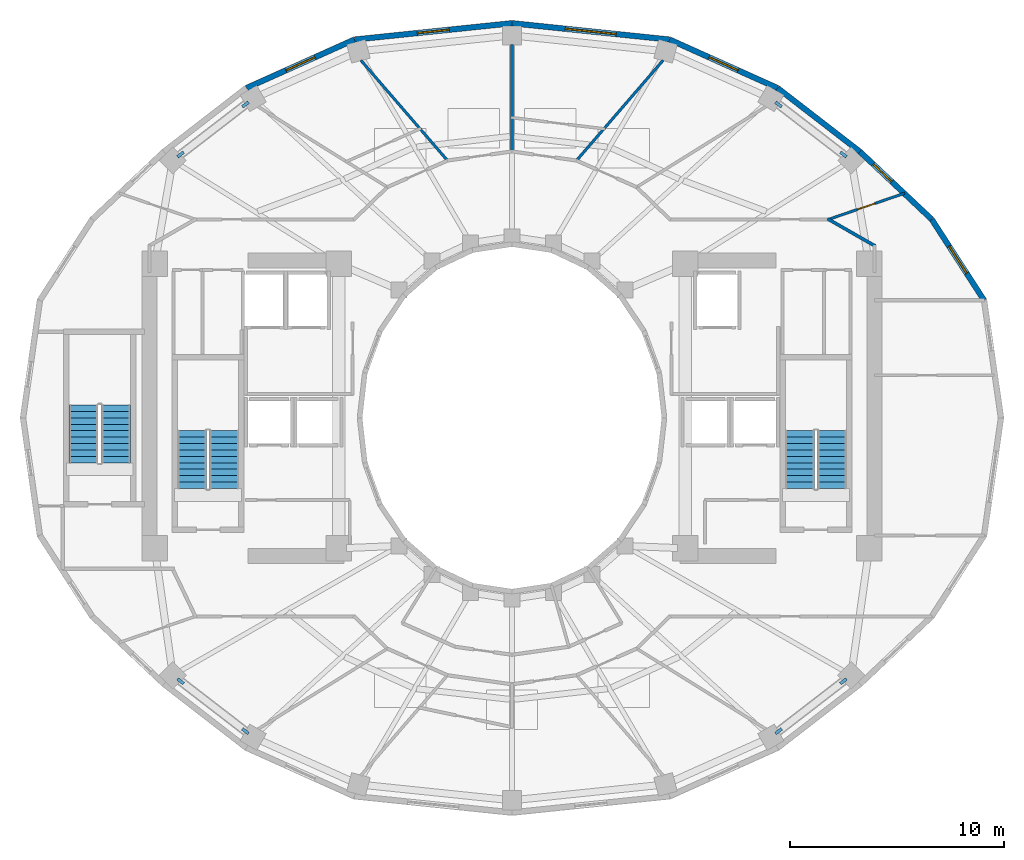
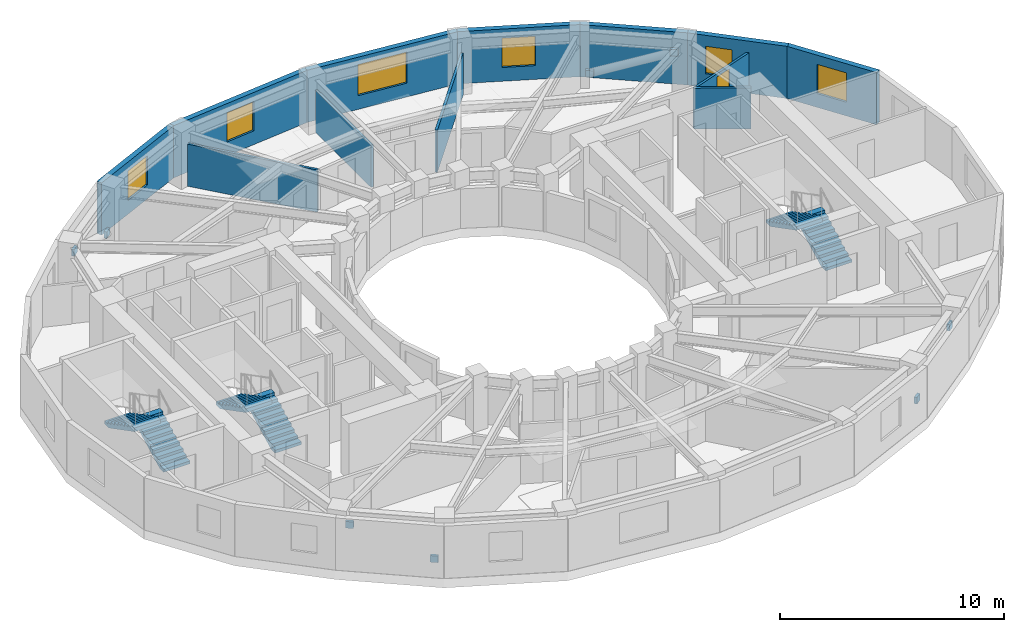
# One storey, part 7 of 9: 12 walls, 8 discrete accessories, 6 stair flights, 6 windows, 1 door, 7 openings, 3 elements without a shape of their own.
"""IFC4 building model written with IfcOpenShell, lengths in metres."""

from ifc_helpers import new_model, si_unit, direction, frame, frame_2d, origin, origin_2d, place, context, subcontext, project, spatial, polyline, rectangle, outline, extrude, material, layer, layer_set, type_object, element, fill, aggregate, save


model = new_model("IFC4")

# Units and contexts
model_context = context("Model", 3, precision=1e-05, world=origin(), true_north=direction((0.0, 1.0)))
body_context = subcontext(model_context, "Body", "Model", "MODEL_VIEW")
ifc_project = project(units=[si_unit("LENGTHUNIT", "METRE"), si_unit("AREAUNIT", "SQUARE_METRE"), si_unit("VOLUMEUNIT", "CUBIC_METRE"), si_unit("PLANEANGLEUNIT", "RADIAN"), si_unit("MASSUNIT", "GRAM", prefix="KILO")], contexts=[model_context])

# Site, building, storey
site_placement = place(None, origin())
site = spatial("IfcSite", under=ifc_project, at=site_placement, CompositionType="ELEMENT")
building_placement = place(site_placement, origin())
building = spatial("IfcBuilding", under=site, at=building_placement, Name="Solvane Sanctuary Tower", CompositionType="ELEMENT")
storey_placement = place(building_placement, frame((0.0, 0.0, 143.60009765625)))
storey = spatial("IfcBuildingStorey", under=building, at=storey_placement, Name="L43", CompositionType="ELEMENT", Elevation=143.60009765625)

# Wall
ifc_material_1 = material(Name="Acoustic Gypsum Partition Board")
ifc_layer_1 = layer(ifc_material_1, 0.14990234375, Name="Acoustic Gypsum Partition Board")
ifc_layer_set_1 = layer_set([ifc_layer_1], Name="Acoustic Gypsum Partition Board")
wall_type_1 = type_object("IfcWallType", Name="Wall W-CORR-150", PredefinedType="PARTITIONING", material=ifc_layer_set_1)
wall_1_placement = place(storey_placement, frame((46.756591796875, 32.3046875, 0.0), z_axis=(0.0, 0.0, 1.0), x_axis=(0.867991349648, -0.496579315857, 0.0)))
element("IfcWall", 1, at=wall_1_placement, inside=storey, type_object=wall_type_1, Name="L43 NE Corner Wing Wall", PredefinedType="PARTITIONING", context=body_context, shape_type="SweptSolid", body=[
    extrude(rectangle(XDim=2.56689453125, YDim=0.14990234375, at=frame_2d((1.283447265625, 0.0))), origin(), (0.0, 0.0, 1.0), 2.219970703125),
])

# Wall, opening, window
ifc_material_2 = material(Name="Precast concrete C40/50", Category="concrete")
ifc_layer_2 = layer(ifc_material_2, 0.260009765625, Name="Precast concrete C40/50")
ifc_layer_set_2 = layer_set([ifc_layer_2], Name="Precast concrete C40/50")
wall_type_2 = type_object("IfcWallType", Name="Wall W-EXT-250", PredefinedType="STANDARD", material=ifc_layer_set_2)
wall_2_placement = place(storey_placement, frame((54.0703125, 28.49658203125, 0.0), z_axis=(0.0, 0.0, 1.0), x_axis=(-0.543358984534, 0.839500454989, 0.0)))
wall_2 = element("IfcWall", 2, at=wall_2_placement, inside=storey, type_object=wall_type_2, Name="L43 Ceramic-Printed Facade Wall 01", PredefinedType="STANDARD", context=body_context, shape_type="SweptSolid", body=[
    extrude(rectangle(XDim=4.51123046875, YDim=0.260009765625, at=frame_2d((2.255615234375, 0.0))), origin(), (0.0, 0.0, 1.0), 2.849853515625),
])
opening_1_placement = place(wall_2_placement, frame((1.505615234375, 0.0, 0.75)))
opening_1 = element("IfcOpeningElement", 3, at=opening_1_placement, cuts=wall_2, Name="Opening WN-OPER-1500", PredefinedType="OPENING", context=body_context, shape_type="SweptSolid", body=[
    extrude(rectangle(XDim=1.5, YDim=1.60009765625, at=frame_2d((0.75, 0.800048828125))), frame((0.0, 0.139892578125, 0.0), z_axis=(0.0, -1.0, 0.0), x_axis=(1.0, 0.0, 0.0)), (0.0, 0.0, 1.0), 0.280029296875),
])
ifc_material_3 = material(Name="Dark Ceramic-Fritted Low-E Glass", Category="glass")
window_type_1 = type_object("IfcWindowType", Name="Window WN-OPER-1500", PartitioningType="SINGLE_PANEL", PredefinedType="WINDOW", material=ifc_material_3)
window_1_placement = place(opening_1_placement, origin())
window_1 = element("IfcWindow", 4, at=window_1_placement, inside=storey, type_object=window_type_1, Name="L43 Operable Facade Window 01", OverallHeight=1.60009765625, OverallWidth=1.5, PartitioningType="SINGLE_PANEL", PredefinedType="WINDOW", context=body_context, shape_type="SweptSolid", body=[
    extrude(rectangle(XDim=1.5, YDim=1.60009765625, at=frame_2d((0.75, 0.800048828125))), frame((0.0, 0.030029296875, 0.0), z_axis=(0.0, -1.0, 0.0), x_axis=(1.0, 0.0, 0.0)), (0.0, 0.0, 1.0), 0.06005859375),
])
fill(opening_1, window_1)

wall_3_placement = place(storey_placement, frame((51.619140625, 32.28369140625, 0.0), z_axis=(0.0, 0.0, 1.0), x_axis=(-0.727667301037, 0.68593024354, 0.0)))
wall_3 = element("IfcWall", 5, at=wall_3_placement, inside=storey, type_object=wall_type_2, Name="L43 Ceramic-Printed Facade Wall 02", PredefinedType="STANDARD", context=body_context, shape_type="SweptSolid", body=[
    extrude(rectangle(XDim=4.603515625, YDim=0.260009765625, at=frame_2d((2.3017578125, 0.0))), origin(), (0.0, 0.0, 1.0), 2.849853515625),
])
opening_2_placement = place(wall_3_placement, frame((2.5595703125, 0.0, 0.75)))
opening_2 = element("IfcOpeningElement", 6, at=opening_2_placement, cuts=wall_3, Name="Opening WN-OPER-1200", PredefinedType="OPENING", context=body_context, shape_type="SweptSolid", body=[
    extrude(rectangle(XDim=1.199951171875, YDim=1.5, at=frame_2d((0.60009765625, 0.75))), frame((0.0, 0.139892578125, 0.0), z_axis=(0.0, -1.0, 0.0), x_axis=(1.0, 0.0, 0.0)), (0.0, 0.0, 1.0), 0.280029296875),
])
window_type_2 = type_object("IfcWindowType", Name="Window WN-OPER-1200", PartitioningType="SINGLE_PANEL", PredefinedType="WINDOW", material=ifc_material_3)
window_2_placement = place(opening_2_placement, origin())
window_2 = element("IfcWindow", 7, at=window_2_placement, inside=storey, type_object=window_type_2, Name="L43 Operable Facade Window 02", OverallHeight=1.5, OverallWidth=1.199951171875, PartitioningType="SINGLE_PANEL", PredefinedType="WINDOW", context=body_context, shape_type="SweptSolid", body=[
    extrude(rectangle(XDim=1.199951171875, YDim=1.5, at=frame_2d((0.60009765625, 0.75))), frame((0.0, 0.030029296875, 0.0), z_axis=(0.0, -1.0, 0.0), x_axis=(1.0, 0.0, 0.0)), (0.0, 0.0, 1.0), 0.06005859375),
])
fill(opening_2, window_2)

# Wall
wall_4_placement = place(storey_placement, frame((48.269287109375, 35.44140625, 0.0), z_axis=(0.0, 0.0, 1.0), x_axis=(-0.791460185804, 0.611220724687, 0.0)))
element("IfcWall", 8, at=wall_4_placement, inside=storey, type_object=wall_type_2, Name="L43 Ceramic-Printed Facade Wall 03", PredefinedType="STANDARD", context=body_context, shape_type="SweptSolid", body=[
    extrude(rectangle(XDim=4.872314453125, YDim=0.260009765625, at=frame_2d((2.43603515625, 0.0))), origin(), (0.0, 0.0, 1.0), 2.849853515625),
])

# Wall, opening, window
wall_5_placement = place(storey_placement, frame((44.4130859375, 38.41943359375, 0.0), z_axis=(0.0, 0.0, 1.0), x_axis=(-0.912353637112, 0.409403029847, 0.0)))
wall_5 = element("IfcWall", 9, at=wall_5_placement, inside=storey, type_object=wall_type_2, Name="L43 Ceramic-Printed Facade Wall 04", PredefinedType="STANDARD", context=body_context, shape_type="SweptSolid", body=[
    extrude(rectangle(XDim=5.53271484375, YDim=0.260009765625, at=frame_2d((2.766357421875, 0.0))), origin(), (0.0, 0.0, 1.0), 2.849853515625),
])
opening_3_placement = place(wall_5_placement, frame((2.016357421875, 0.0, 0.75)))
opening_3 = element("IfcOpeningElement", 10, at=opening_3_placement, cuts=wall_5, Name="Opening WN-OPER-1500", PredefinedType="OPENING", context=body_context, shape_type="SweptSolid", body=[
    extrude(rectangle(XDim=1.5, YDim=1.60009765625, at=frame_2d((0.75, 0.800048828125))), frame((0.0, 0.139892578125, 0.0), z_axis=(0.0, -1.0, 0.0), x_axis=(1.0, 0.0, 0.0)), (0.0, 0.0, 1.0), 0.280029296875),
])
window_3_placement = place(opening_3_placement, origin())
window_3 = element("IfcWindow", 11, at=window_3_placement, inside=storey, type_object=window_type_1, Name="L43 Operable Facade Window 04", OverallHeight=1.60009765625, OverallWidth=1.5, PartitioningType="SINGLE_PANEL", PredefinedType="WINDOW", context=body_context, shape_type="SweptSolid", body=[
    extrude(rectangle(XDim=1.5, YDim=1.60009765625, at=frame_2d((0.75, 0.800048828125))), frame((0.0, 0.030029296875, 0.0), z_axis=(0.0, -1.0, 0.0), x_axis=(1.0, 0.0, 0.0)), (0.0, 0.0, 1.0), 0.06005859375),
])
fill(opening_3, window_3)

wall_6_placement = place(storey_placement, frame((39.365234375, 40.6845703125, 0.0), z_axis=(0.0, 0.0, 1.0), x_axis=(-0.994664178965, 0.10316574569, 0.0)))
wall_6 = element("IfcWall", 12, at=wall_6_placement, inside=storey, type_object=wall_type_2, Name="L43 Ceramic-Printed Facade Wall 05", PredefinedType="STANDARD", context=body_context, shape_type="SweptSolid", body=[
    extrude(rectangle(XDim=7.40478515625, YDim=0.260009765625, at=frame_2d((3.702392578125, 0.0))), origin(), (0.0, 0.0, 1.0), 2.849853515625),
])
opening_4_placement = place(wall_6_placement, frame((2.50244140625, 0.0, 0.75)))
opening_4 = element("IfcOpeningElement", 13, at=opening_4_placement, cuts=wall_6, Name="Opening WN-RIB-2400", PredefinedType="OPENING", context=body_context, shape_type="SweptSolid", body=[
    extrude(rectangle(XDim=2.39990234375, YDim=1.699951171875, at=frame_2d((1.199951171875, 0.85009765625))), frame((0.0, 0.139892578125, 0.0), z_axis=(0.0, -1.0, 0.0), x_axis=(1.0, 0.0, 0.0)), (0.0, 0.0, 1.0), 0.280029296875),
])
window_type_3 = type_object("IfcWindowType", Name="Window WN-RIB-2400", PartitioningType="SINGLE_PANEL", PredefinedType="WINDOW", material=ifc_material_3)
window_4_placement = place(opening_4_placement, origin())
window_4 = element("IfcWindow", 14, at=window_4_placement, inside=storey, type_object=window_type_3, Name="L43 Operable Facade Window 05", OverallHeight=1.699951171875, OverallWidth=2.39990234375, PartitioningType="SINGLE_PANEL", PredefinedType="WINDOW", context=body_context, shape_type="SweptSolid", body=[
    extrude(rectangle(XDim=2.39990234375, YDim=1.699951171875, at=frame_2d((1.199951171875, 0.85009765625))), frame((0.0, 0.030029296875, 0.0), z_axis=(0.0, -1.0, 0.0), x_axis=(1.0, 0.0, 0.0)), (0.0, 0.0, 1.0), 0.06005859375),
])
fill(opening_4, window_4)

wall_7_placement = place(storey_placement, frame((32.0, 41.448486328125, 0.0), z_axis=(0.0, 0.0, 1.0), x_axis=(-0.994664178965, -0.10316574569, 0.0)))
wall_7 = element("IfcWall", 15, at=wall_7_placement, inside=storey, type_object=wall_type_2, Name="L43 Ceramic-Printed Facade Wall 06", PredefinedType="STANDARD", context=body_context, shape_type="SweptSolid", body=[
    extrude(rectangle(XDim=7.40478515625, YDim=0.260009765625, at=frame_2d((3.702392578125, 0.0))), origin(), (0.0, 0.0, 1.0), 2.849853515625),
])
opening_5_placement = place(wall_7_placement, frame((2.952392578125, 0.0, 0.75)))
opening_5 = element("IfcOpeningElement", 16, at=opening_5_placement, cuts=wall_7, Name="Opening WN-OPER-1500", PredefinedType="OPENING", context=body_context, shape_type="SweptSolid", body=[
    extrude(rectangle(XDim=1.5, YDim=1.60009765625, at=frame_2d((0.75, 0.800048828125))), frame((0.0, 0.139892578125, 0.0), z_axis=(0.0, -1.0, 0.0), x_axis=(1.0, 0.0, 0.0)), (0.0, 0.0, 1.0), 0.280029296875),
])
window_5_placement = place(opening_5_placement, origin())
window_5 = element("IfcWindow", 17, at=window_5_placement, inside=storey, type_object=window_type_1, Name="L43 Operable Facade Window 06", OverallHeight=1.60009765625, OverallWidth=1.5, PartitioningType="SINGLE_PANEL", PredefinedType="WINDOW", context=body_context, shape_type="SweptSolid", body=[
    extrude(rectangle(XDim=1.5, YDim=1.60009765625, at=frame_2d((0.75, 0.800048828125))), frame((0.0, 0.030029296875, 0.0), z_axis=(0.0, -1.0, 0.0), x_axis=(1.0, 0.0, 0.0)), (0.0, 0.0, 1.0), 0.06005859375),
])
fill(opening_5, window_5)

wall_8_placement = place(storey_placement, frame((24.634765625, 40.6845703125, 0.0), z_axis=(0.0, 0.0, 1.0), x_axis=(-0.912353637112, -0.409403029847, 0.0)))
wall_8 = element("IfcWall", 18, at=wall_8_placement, inside=storey, type_object=wall_type_2, Name="L43 Ceramic-Printed Facade Wall 07", PredefinedType="STANDARD", context=body_context, shape_type="SweptSolid", body=[
    extrude(rectangle(XDim=5.53271484375, YDim=0.260009765625, at=frame_2d((2.766357421875, 0.0))), origin(), (0.0, 0.0, 1.0), 2.849853515625),
])
opening_6_placement = place(wall_8_placement, frame((2.016357421875, 0.0, 0.75)))
opening_6 = element("IfcOpeningElement", 19, at=opening_6_placement, cuts=wall_8, Name="Opening WN-OPER-1500", PredefinedType="OPENING", context=body_context, shape_type="SweptSolid", body=[
    extrude(rectangle(XDim=1.5, YDim=1.60009765625, at=frame_2d((0.75, 0.800048828125))), frame((0.0, 0.139892578125, 0.0), z_axis=(0.0, -1.0, 0.0), x_axis=(1.0, 0.0, 0.0)), (0.0, 0.0, 1.0), 0.280029296875),
])
window_6_placement = place(opening_6_placement, origin())
window_6 = element("IfcWindow", 20, at=window_6_placement, inside=storey, type_object=window_type_1, Name="L43 Operable Facade Window 07", OverallHeight=1.60009765625, OverallWidth=1.5, PartitioningType="SINGLE_PANEL", PredefinedType="WINDOW", context=body_context, shape_type="SweptSolid", body=[
    extrude(rectangle(XDim=1.5, YDim=1.60009765625, at=frame_2d((0.75, 0.800048828125))), frame((0.0, 0.030029296875, 0.0), z_axis=(0.0, -1.0, 0.0), x_axis=(1.0, 0.0, 0.0)), (0.0, 0.0, 1.0), 0.06005859375),
])
fill(opening_6, window_6)

# Wall, opening, door
ifc_layer_3 = layer(ifc_material_1, 0.1201171875, Name="Acoustic Gypsum Partition Board")
ifc_layer_set_3 = layer_set([ifc_layer_3], Name="Acoustic Gypsum Partition Board")
wall_type_3 = type_object("IfcWallType", Name="Wall W-MOV-100", PredefinedType="MOVABLE", material=ifc_layer_set_3)
wall_9_placement = place(storey_placement, frame((46.752685546875, 32.263671875, 0.0), z_axis=(0.0, 0.0, 1.0), x_axis=(0.945683523506, 0.325088716151, 0.0)))
wall_9 = element("IfcWall", 21, at=wall_9_placement, inside=storey, type_object=wall_type_3, Name="L43 NE Corner Suite Partition", PredefinedType="MOVABLE", context=body_context, shape_type="SweptSolid", body=[
    extrude(rectangle(XDim=3.812744140625, YDim=0.1201171875, at=frame_2d((1.90625, 0.0))), origin(), (0.0, 0.0, 1.0), 2.219970703125),
])
opening_7_placement = place(wall_9_placement, frame((1.4814453125, 0.0, 0.0)))
opening_7 = element("IfcOpeningElement", 22, at=opening_7_placement, cuts=wall_9, Name="Opening D-L43-14", PredefinedType="OPENING", context=body_context, shape_type="SweptSolid", body=[
    extrude(rectangle(XDim=0.85009765625, YDim=2.050048828125, at=frame_2d((0.425048828125, 1.02490234375))), frame((0.0, 0.070068359375, 0.0), z_axis=(0.0, -1.0, 0.0), x_axis=(1.0, 0.0, 0.0)), (0.0, 0.0, 1.0), 0.14013671875),
])
ifc_material_4 = material(Name="Architectural Stainless Steel 316", Category="steel")
door_type = type_object("IfcDoorType", Name="Door D-RISER", OperationType="NOTDEFINED", PredefinedType="DOOR", material=ifc_material_4)
door_placement = place(opening_7_placement, origin())
door = element("IfcDoor", 23, at=door_placement, inside=storey, type_object=door_type, Name="L43 NE Corner Suite Door", OperationType="SINGLE_SWING_LEFT", OverallHeight=2.050048828125, OverallWidth=0.85009765625, PredefinedType="DOOR", context=body_context, shape_type="SweptSolid", body=[
    extrude(rectangle(XDim=0.85009765625, YDim=2.050048828125, at=frame_2d((0.425048828125, 1.02490234375))), frame((0.0, 0.02490234375, 0.0), z_axis=(0.0, -1.0, 0.0), x_axis=(1.0, 0.0, 0.0)), (0.0, 0.0, 1.0), 0.050048828125),
])
fill(opening_7, door)

# Walls
ifc_layer_4 = layer(ifc_material_1, 0.125, Name="Acoustic Gypsum Partition Board")
ifc_layer_set_4 = layer_set([ifc_layer_4], Name="Acoustic Gypsum Partition Board")
wall_type_4 = type_object("IfcWallType", Name="Wall W-PART-125", PredefinedType="PARTITIONING", material=ifc_layer_set_4)
wall_10_placement = place(storey_placement, frame((35.052734375, 35.0732421875, 0.0), z_axis=(0.0, 0.0, 1.0), x_axis=(0.653779283332, 0.756685303601, 0.0)))
element("IfcWall", 24, at=wall_10_placement, inside=storey, type_object=wall_type_4, Name="L43 Radial Compartment Wall 075", PredefinedType="PARTITIONING", context=body_context, shape_type="SweptSolid", body=[
    extrude(rectangle(XDim=6.139892578125, YDim=0.125, at=frame_2d((3.06982421875, 0.0))), origin(), (0.0, 0.0, 1.0), 2.298828125),
])
wall_11_placement = place(storey_placement, frame((32.0, 35.510986328125, 0.0), z_axis=(0.0, 0.0, 1.0), x_axis=(0.0, 1.0, 0.0)))
element("IfcWall", 25, at=wall_11_placement, inside=storey, type_object=wall_type_4, Name="L43 Radial Compartment Wall 090", PredefinedType="PARTITIONING", context=body_context, shape_type="SweptSolid", body=[
    extrude(rectangle(XDim=4.93896484375, YDim=0.125, at=frame_2d((2.469482421875, 0.0))), origin(), (0.0, 0.0, 1.0), 2.298828125),
])
wall_12_placement = place(storey_placement, frame((28.947265625, 35.0732421875, 0.0), z_axis=(0.0, 0.0, 1.0), x_axis=(-0.653779283332, 0.756685303601, 0.0)))
element("IfcWall", 26, at=wall_12_placement, inside=storey, type_object=wall_type_4, Name="L43 Radial Compartment Wall 105", PredefinedType="PARTITIONING", context=body_context, shape_type="SweptSolid", body=[
    extrude(rectangle(XDim=6.139892578125, YDim=0.125, at=frame_2d((3.06982421875, 0.0))), origin(), (0.0, 0.0, 1.0), 2.298828125),
])

# Stair, stair flights
ifc_material_5 = material(Name="Concrete C45/55", Category="concrete")
stair_type = type_object("IfcStairType", Name="Stair ST-TOW", PredefinedType="HALF_TURN_STAIR", material=ifc_material_5)
stair_1_placement = place(storey_placement, origin())
stair_1 = element("IfcStair", 27, at=stair_1_placement, inside=storey, type_object=stair_type, Name="L43 Exit Stair ST-1 West Core", PredefinedType="HALF_TURN_STAIR")
stair_flight_type = type_object("IfcStairFlightType", Name="StairFlight SF-TOW", PredefinedType="STRAIGHT", material=ifc_material_5)
stair_flight_1_placement = place(storey_placement, frame((18.544921875, 19.699951171875, 0.0), z_axis=(0.0, 0.0, 1.0), x_axis=(0.0, 1.0, 0.0)))
stair_flight_1 = element("IfcStairFlight", 28, at=stair_flight_1_placement, type_object=stair_flight_type, Name="ST-1 flight 1", NumberOfRisers=10, NumberOfTreads=9, PredefinedType="STRAIGHT", RiserHeight=0.155, TreadLength=0.3, context=body_context, shape_type="SweptSolid", body=[
    extrude(outline(polyline([(0.0, 0.0), (0.0, 0.155029296875), (0.300048828125, 0.155029296875), (0.300048828125, 0.31005859375), (0.60009765625, 0.31005859375), (0.60009765625, 0.465087890625), (0.89990234375, 0.465087890625), (0.89990234375, 0.6201171875), (1.199951171875, 0.6201171875), (1.199951171875, 0.77490234375), (1.5, 0.77490234375), (1.5, 0.929931640625), (1.800048828125, 0.929931640625), (1.800048828125, 1.0849609375), (2.10009765625, 1.0849609375), (2.10009765625, 1.239990234375), (2.39990234375, 1.239990234375), (2.39990234375, 1.39501953125), (2.699951171875, 1.39501953125), (2.699951171875, 1.550048828125), (2.699951171875, 1.1923828125), (0.39208984375, 0.0), (0.0, 0.0)])), frame((0.0, 0.675048828125, 0.0), z_axis=(0.0, -1.0, 0.0), x_axis=(1.0, 0.0, 0.0)), (0.0, 0.0, 1.0), 1.35009765625),
])
stair_flight_2_placement = place(storey_placement, frame((17.034912109375, 22.39990234375, 1.5498046875), z_axis=(0.0, 0.0, 1.0), x_axis=(0.0, -1.0, 0.0)))
stair_flight_2 = element("IfcStairFlight", 29, at=stair_flight_2_placement, type_object=stair_flight_type, Name="ST-1 flight 2", NumberOfRisers=10, NumberOfTreads=9, PredefinedType="STRAIGHT", RiserHeight=0.155, TreadLength=0.3, context=body_context, shape_type="SweptSolid", body=[
    extrude(outline(polyline([(0.0, 0.0), (0.0, 0.155029296875), (0.300048828125, 0.155029296875), (0.300048828125, 0.31005859375), (0.60009765625, 0.31005859375), (0.60009765625, 0.465087890625), (0.89990234375, 0.465087890625), (0.89990234375, 0.6201171875), (1.199951171875, 0.6201171875), (1.199951171875, 0.77490234375), (1.5, 0.77490234375), (1.5, 0.929931640625), (1.800048828125, 0.929931640625), (1.800048828125, 1.0849609375), (2.10009765625, 1.0849609375), (2.10009765625, 1.239990234375), (2.39990234375, 1.239990234375), (2.39990234375, 1.39501953125), (2.699951171875, 1.39501953125), (2.699951171875, 1.550048828125), (2.699951171875, 1.1923828125), (0.39208984375, 0.0), (0.0, 0.0)])), frame((0.0, 0.675048828125, 0.0), z_axis=(0.0, -1.0, 0.0), x_axis=(1.0, 0.0, 0.0)), (0.0, 0.0, 1.0), 1.35009765625),
])
aggregate(stair_1, [stair_flight_1, stair_flight_2])

stair_2_placement = place(storey_placement, origin())
stair_2 = element("IfcStair", 30, at=stair_2_placement, inside=storey, type_object=stair_type, Name="L43 Exit Stair ST-2 East Core", PredefinedType="HALF_TURN_STAIR")
stair_flight_3_placement = place(storey_placement, frame((46.965087890625, 19.699951171875, 0.0), z_axis=(0.0, 0.0, 1.0), x_axis=(0.0, 1.0, 0.0)))
stair_flight_3 = element("IfcStairFlight", 31, at=stair_flight_3_placement, type_object=stair_flight_type, Name="ST-2 flight 1", NumberOfRisers=10, NumberOfTreads=9, PredefinedType="STRAIGHT", RiserHeight=0.155, TreadLength=0.3, context=body_context, shape_type="SweptSolid", body=[
    extrude(outline(polyline([(0.0, 0.0), (0.0, 0.155029296875), (0.300048828125, 0.155029296875), (0.300048828125, 0.31005859375), (0.60009765625, 0.31005859375), (0.60009765625, 0.465087890625), (0.89990234375, 0.465087890625), (0.89990234375, 0.6201171875), (1.199951171875, 0.6201171875), (1.199951171875, 0.77490234375), (1.5, 0.77490234375), (1.5, 0.929931640625), (1.800048828125, 0.929931640625), (1.800048828125, 1.0849609375), (2.10009765625, 1.0849609375), (2.10009765625, 1.239990234375), (2.39990234375, 1.239990234375), (2.39990234375, 1.39501953125), (2.699951171875, 1.39501953125), (2.699951171875, 1.550048828125), (2.699951171875, 1.1923828125), (0.39208984375, 0.0), (0.0, 0.0)])), frame((0.0, 0.675048828125, 0.0), z_axis=(0.0, -1.0, 0.0), x_axis=(1.0, 0.0, 0.0)), (0.0, 0.0, 1.0), 1.35009765625),
])
stair_flight_4_placement = place(storey_placement, frame((45.455078125, 22.39990234375, 1.5498046875), z_axis=(0.0, 0.0, 1.0), x_axis=(0.0, -1.0, 0.0)))
stair_flight_4 = element("IfcStairFlight", 32, at=stair_flight_4_placement, type_object=stair_flight_type, Name="ST-2 flight 2", NumberOfRisers=10, NumberOfTreads=9, PredefinedType="STRAIGHT", RiserHeight=0.155, TreadLength=0.3, context=body_context, shape_type="SweptSolid", body=[
    extrude(outline(polyline([(0.0, 0.0), (0.0, 0.155029296875), (0.300048828125, 0.155029296875), (0.300048828125, 0.31005859375), (0.60009765625, 0.31005859375), (0.60009765625, 0.465087890625), (0.89990234375, 0.465087890625), (0.89990234375, 0.6201171875), (1.199951171875, 0.6201171875), (1.199951171875, 0.77490234375), (1.5, 0.77490234375), (1.5, 0.929931640625), (1.800048828125, 0.929931640625), (1.800048828125, 1.0849609375), (2.10009765625, 1.0849609375), (2.10009765625, 1.239990234375), (2.39990234375, 1.239990234375), (2.39990234375, 1.39501953125), (2.699951171875, 1.39501953125), (2.699951171875, 1.550048828125), (2.699951171875, 1.1923828125), (0.39208984375, 0.0), (0.0, 0.0)])), frame((0.0, 0.675048828125, 0.0), z_axis=(0.0, -1.0, 0.0), x_axis=(1.0, 0.0, 0.0)), (0.0, 0.0, 1.0), 1.35009765625),
])
aggregate(stair_2, [stair_flight_3, stair_flight_4])

stair_3_placement = place(storey_placement, origin())
stair_3 = element("IfcStair", 33, at=stair_3_placement, inside=storey, type_object=stair_type, Name="L43 Exit Stair ST-3 Pilgrim Tower Stair", PredefinedType="HALF_TURN_STAIR")
stair_flight_5_placement = place(storey_placement, frame((13.485107421875, 20.89990234375, 0.0), z_axis=(0.0, 0.0, 1.0), x_axis=(0.0, 1.0, 0.0)))
stair_flight_5 = element("IfcStairFlight", 34, at=stair_flight_5_placement, type_object=stair_flight_type, Name="ST-3 flight 1", NumberOfRisers=10, NumberOfTreads=9, PredefinedType="STRAIGHT", RiserHeight=0.155, TreadLength=0.3, context=body_context, shape_type="SweptSolid", body=[
    extrude(outline(polyline([(0.0, 0.0), (0.0, 0.155029296875), (0.300048828125, 0.155029296875), (0.300048828125, 0.31005859375), (0.60009765625, 0.31005859375), (0.60009765625, 0.465087890625), (0.89990234375, 0.465087890625), (0.89990234375, 0.6201171875), (1.199951171875, 0.6201171875), (1.199951171875, 0.77490234375), (1.5, 0.77490234375), (1.5, 0.929931640625), (1.800048828125, 0.929931640625), (1.800048828125, 1.0849609375), (2.10009765625, 1.0849609375), (2.10009765625, 1.239990234375), (2.39990234375, 1.239990234375), (2.39990234375, 1.39501953125), (2.699951171875, 1.39501953125), (2.699951171875, 1.550048828125), (2.699951171875, 1.1923828125), (0.39208984375, 0.0), (0.0, 0.0)])), frame((0.0, 0.675048828125, 0.0), z_axis=(0.0, -1.0, 0.0), x_axis=(1.0, 0.0, 0.0)), (0.0, 0.0, 1.0), 1.35009765625),
])
stair_flight_6_placement = place(storey_placement, frame((11.97509765625, 23.60009765625, 1.5498046875), z_axis=(0.0, 0.0, 1.0), x_axis=(0.0, -1.0, 0.0)))
stair_flight_6 = element("IfcStairFlight", 35, at=stair_flight_6_placement, type_object=stair_flight_type, Name="ST-3 flight 2", NumberOfRisers=10, NumberOfTreads=9, PredefinedType="STRAIGHT", RiserHeight=0.155, TreadLength=0.3, context=body_context, shape_type="SweptSolid", body=[
    extrude(outline(polyline([(0.0, 0.0), (0.0, 0.155029296875), (0.300048828125, 0.155029296875), (0.300048828125, 0.31005859375), (0.60009765625, 0.31005859375), (0.60009765625, 0.465087890625), (0.89990234375, 0.465087890625), (0.89990234375, 0.6201171875), (1.199951171875, 0.6201171875), (1.199951171875, 0.77490234375), (1.5, 0.77490234375), (1.5, 0.929931640625), (1.800048828125, 0.929931640625), (1.800048828125, 1.0849609375), (2.10009765625, 1.0849609375), (2.10009765625, 1.239990234375), (2.39990234375, 1.239990234375), (2.39990234375, 1.39501953125), (2.699951171875, 1.39501953125), (2.699951171875, 1.550048828125), (2.699951171875, 1.1923828125), (0.39208984375, 0.0), (0.0, 0.0)])), frame((0.0, 0.675048828125, 0.0), z_axis=(0.0, -1.0, 0.0), x_axis=(1.0, 0.0, 0.0)), (0.0, 0.0, 1.0), 1.35009765625),
])
aggregate(stair_3, [stair_flight_5, stair_flight_6])

# Discrete accessories
ifc_material_6 = material(Name="Steel ASTM A572 Grade 50", Category="steel")
ifc_layer_5 = layer(ifc_material_6, 0.360107421875, Name="Steel ASTM A572 Grade 50")
ifc_layer_set_5 = layer_set([ifc_layer_5], Name="Steel ASTM A572 Grade 50")
discrete_accessory_type = type_object("IfcDiscreteAccessoryType", Name="Accessory ACC-GUSSET-BRK", PredefinedType="BRACKET", material=ifc_layer_set_5)
for number, where, z_axis, x_axis, name in (
    (36, (44.46142578125, 37.64794921875, 0.380859375), (0.0, 0.0, 1.0), (0.79207661425, -0.610421687982, 0.0), "L43 Perimeter Braced-Tube Diagonal NE End Gusset Bracket A"),
    (37, (47.493408203125, 35.31103515625, 1.88916015625), (0.0, 0.0, 1.0), (0.79207661425, -0.610421687982, 0.0), "L43 Perimeter Braced-Tube Diagonal NE End Gusset Bracket B"),
    (38, (19.53857421875, 37.64794921875, 0.380859375), (0.0, 0.0, 1.0), (-0.79207661425, -0.610421687982, 0.0), "L43 Perimeter Braced-Tube Diagonal NW End Gusset Bracket A"),
    (39, (16.506591796875, 35.31103515625, 1.88916015625), (0.0, 0.0, 1.0), (-0.79207661425, -0.610421687982, 0.0), "L43 Perimeter Braced-Tube Diagonal NW End Gusset Bracket B"),
    (40, (19.53857421875, 8.35205078125, 0.380859375), (0.0, 0.0, 1.0), (-0.79207661425, 0.610421687982, 0.0), "L43 Perimeter Braced-Tube Diagonal SW End Gusset Bracket A"),
    (41, (16.506591796875, 10.68896484375, 1.88916015625), (0.0, 0.0, 1.0), (-0.79207661425, 0.610421687982, 0.0), "L43 Perimeter Braced-Tube Diagonal SW End Gusset Bracket B"),
    (42, (44.46142578125, 8.35205078125, 0.380859375), (0.0, 0.0, 1.0), (0.79207661425, 0.610421687982, 0.0), "L43 Perimeter Braced-Tube Diagonal SE End Gusset Bracket A"),
    (43, (47.493408203125, 10.68896484375, 1.88916015625), (0.0, 0.0, 1.0), (0.79207661425, 0.610421687982, 0.0), "L43 Perimeter Braced-Tube Diagonal SE End Gusset Bracket B"),
):
    element("IfcDiscreteAccessory", number, at=place(storey_placement, frame(where, z_axis=z_axis, x_axis=x_axis)), inside=storey, type_object=discrete_accessory_type, Name=name, PredefinedType="BRACKET", context=body_context, shape_type="SweptSolid", body=[
        extrude(rectangle(XDim=0.360107421875, YDim=0.139892578125, at=origin_2d()), origin(), (0.0, 0.0, 1.0), 0.360107421875),
    ])

save(model, "model.ifc")
